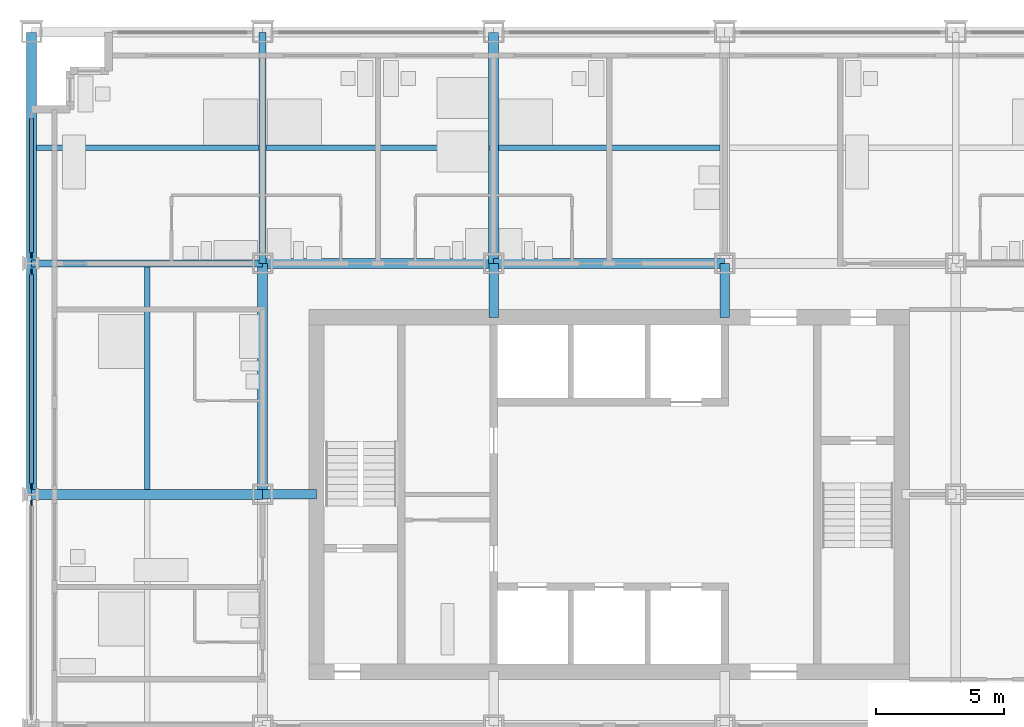
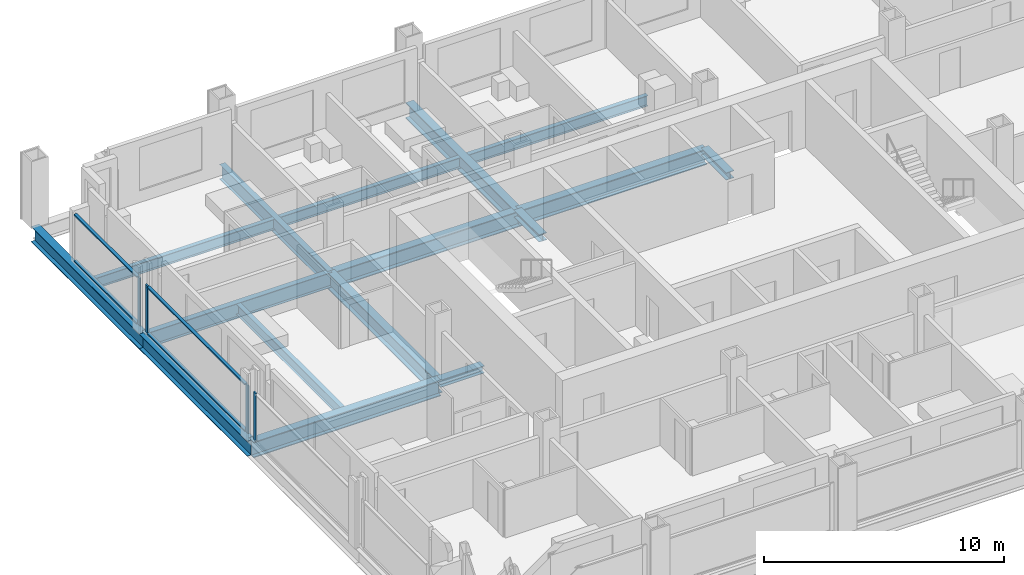
# One storey, part 4 of 18: 13 beams, 11 members, 3 elements without a shape of their own.
"""IFC4 building model written with IfcOpenShell, lengths in metres."""

from ifc_helpers import new_model, si_unit, direction, frame, origin, origin_2d, place, context, subcontext, project, spatial, rectangle, i_section, extrude, material, material_profile, profile_set, type_object, element, aggregate, save


model = new_model("IFC4")

# Units and contexts
model_context = context("Model", 3, precision=1e-05, world=origin(), true_north=direction((0.0, 1.0)))
body_context = subcontext(model_context, "Body", "Model", "MODEL_VIEW")
ifc_project = project(units=[si_unit("LENGTHUNIT", "METRE"), si_unit("AREAUNIT", "SQUARE_METRE"), si_unit("VOLUMEUNIT", "CUBIC_METRE"), si_unit("PLANEANGLEUNIT", "RADIAN"), si_unit("MASSUNIT", "GRAM", prefix="KILO")], contexts=[model_context])

# Site, building, storey
site_placement = place(None, origin())
site = spatial("IfcSite", under=ifc_project, at=site_placement, CompositionType="ELEMENT")
building_placement = place(site_placement, origin())
building = spatial("IfcBuilding", under=site, at=building_placement, Name="Loomwork Tower", CompositionType="ELEMENT")
storey_placement = place(building_placement, frame((0.0, 0.0, 65.39990234375)))
storey = spatial("IfcBuildingStorey", under=building, at=storey_placement, Name="L16", CompositionType="ELEMENT", Elevation=65.39990234375)

# Beams
ifc_material_1 = material(Name="Steel ASTM A992", Category="steel")
ifc_material_profile_1 = material_profile(ifc_material_1, i_section(OverallWidth=0.383544921875, OverallDepth=0.794921875, WebThickness=0.02099609375, FlangeThickness=0.0380859375, at=origin_2d()), Name="W30x235")
ifc_profile_set_1 = profile_set([ifc_material_profile_1], Name="Steel ASTM A992")
beam_type_1 = type_object("IfcBeamType", Name="CORE FLANK GIRDER W30x235", PredefinedType="BEAM", material=ifc_profile_set_1)
for number, where, z_axis, x_axis, name in (
    (1, (0.0, 18.0, -0.597412109375), (1.0, 0.0, 0.0), (0.0, 1.0, 0.0), "Core Flank Girder F/2-F/3 L16"),
    (2, (9.0, 27.0, -0.597412109375), (1.0, 0.0, 0.0), (0.0, 1.0, 0.0), "Core Flank Girder G/3-G/4 L16"),
    (3, (18.0, 27.0, -0.597412109375), (1.0, 0.0, 0.0), (0.0, 1.0, 0.0), "Core Flank Girder G/4-G/5 L16"),
    (4, (9.0, 18.0, -0.597412109375), (0.0, 1.0, 0.0), (-1.0, 0.0, 0.0), "Core Flank Girder F/3-G/3 L16"),
    (5, (18.0, 27.0, -0.597412109375), (0.0, 1.0, 0.0), (-1.0, 0.0, 0.0), "Core Flank Girder G/4-H/4 L16"),
):
    element("IfcBeam", number, at=place(storey_placement, frame(where, z_axis=z_axis, x_axis=x_axis)), inside=storey, type_object=beam_type_1, Name=name, PredefinedType="BEAM", context=body_context, shape_type="SweptSolid", body=[
        extrude(i_section(OverallWidth=0.383544921875, OverallDepth=0.794921875, WebThickness=0.02099609375, FlangeThickness=0.0380859375, at=origin_2d()), origin(), (0.0, 0.0, 1.0), 9.0),
    ])

# Members
ifc_material_2 = material(Name="Steel ASTM A992", Category="steel")
ifc_material_profile_2 = material_profile(ifc_material_2, i_section(OverallWidth=0.373291015625, OverallDepth=0.373291015625, WebThickness=0.016357421875, FlangeThickness=0.026123046875, at=origin_2d()), Name="W14x132")
ifc_profile_set_2 = profile_set([ifc_material_profile_2], Name="Steel ASTM A992")
member_type_1 = type_object("IfcMemberType", Name="CORE LINK STRUT W14x132", PredefinedType="STRUT", material=ifc_profile_set_2)
for number, where, z_axis, x_axis, name in (
    (6, (27.0, 27.0, -0.386474609375), (0.0, -1.0, 0.0), (1.0, 0.0, 0.0), "Core link strut G/5-27.000,24.900 L16"),
    (7, (18.0, 27.0, -0.386474609375), (0.0, -1.0, 0.0), (1.0, 0.0, 0.0), "Core link strut G/4-18.000,24.900 L16"),
    (8, (9.0, 18.0, -0.386474609375), (1.0, 0.0, 0.0), (0.0, 1.0, 0.0), "Core link strut F/3-11.100,18.000 L16"),
):
    element("IfcMember", number, at=place(storey_placement, frame(where, z_axis=z_axis, x_axis=x_axis)), inside=storey, type_object=member_type_1, Name=name, PredefinedType="STRUT", context=body_context, shape_type="SweptSolid", body=[
        extrude(i_section(OverallWidth=0.373291015625, OverallDepth=0.373291015625, WebThickness=0.016357421875, FlangeThickness=0.026123046875, at=origin_2d()), origin(), (0.0, 0.0, 1.0), 2.10009765625),
    ])

# Beams
ifc_material_3 = material(Name="Steel ASTM A992", Category="steel")
ifc_material_profile_3 = material_profile(ifc_material_3, i_section(OverallWidth=0.2666015625, OverallDepth=0.761962890625, WebThickness=0.014404296875, FlangeThickness=0.021484375, at=origin_2d()), Name="W30x116")
ifc_profile_set_3 = profile_set([ifc_material_profile_3], Name="Steel ASTM A992")
beam_type_2 = type_object("IfcBeamType", Name="FLOOR GIRDER W30x116", PredefinedType="BEAM", material=ifc_profile_set_3)
for number, where, z_axis, x_axis, name in (
    (9, (0.0, 27.0, -0.580810546875), (1.0, 0.0, 0.0), (0.0, 1.0, 0.0), "Floor Girder G/2-G/3 L16"),
    (10, (9.0, 27.0, -0.580810546875), (0.0, 1.0, 0.0), (-1.0, 0.0, 0.0), "Floor Girder G/3-H/3 L16"),
):
    element("IfcBeam", number, at=place(storey_placement, frame(where, z_axis=z_axis, x_axis=x_axis)), inside=storey, type_object=beam_type_2, Name=name, PredefinedType="BEAM", context=body_context, shape_type="SweptSolid", body=[
        extrude(i_section(OverallWidth=0.2666015625, OverallDepth=0.761962890625, WebThickness=0.014404296875, FlangeThickness=0.021484375, at=origin_2d()), origin(), (0.0, 0.0, 1.0), 9.0),
    ])
ifc_material_4 = material(Name="Steel ASTM A992", Category="steel")
ifc_material_profile_4 = material_profile(ifc_material_4, i_section(OverallWidth=0.2109375, OverallDepth=0.53857421875, WebThickness=0.011474609375, FlangeThickness=0.018798828125, at=origin_2d()), Name="W21x73")
ifc_profile_set_4 = profile_set([ifc_material_profile_4], Name="Steel ASTM A992")
beam_type_3 = type_object("IfcBeamType", Name="FLOOR JOIST W21x73", PredefinedType="JOIST", material=ifc_profile_set_4)
beam_1_placement = place(storey_placement, frame((4.5, 18.19091796875, -0.46923828125), z_axis=(0.0, 1.0, 0.0), x_axis=(-1.0, 0.0, 0.0)))
element("IfcBeam", 11, at=beam_1_placement, inside=storey, type_object=beam_type_3, Name="Floor Joist 4.500,18.000-4.500,27.000 L16", PredefinedType="JOIST", context=body_context, shape_type="SweptSolid", body=[
    extrude(i_section(OverallWidth=0.2109375, OverallDepth=0.53857421875, WebThickness=0.011474609375, FlangeThickness=0.018798828125, at=origin_2d()), origin(), (0.0, 0.0, 1.0), 8.676025390625),
])
beam_2_placement = place(storey_placement, frame((0.18994140625, 31.5, -0.46923828125), z_axis=(1.0, 0.0, 0.0), x_axis=(0.0, 1.0, 0.0)))
element("IfcBeam", 12, at=beam_2_placement, inside=storey, type_object=beam_type_3, Name="Floor Joist 0.000,31.500-9.000,31.500 L16", PredefinedType="JOIST", context=body_context, shape_type="SweptSolid", body=[
    extrude(i_section(OverallWidth=0.2109375, OverallDepth=0.53857421875, WebThickness=0.011474609375, FlangeThickness=0.018798828125, at=origin_2d()), origin(), (0.0, 0.0, 1.0), 8.677001953125),
])
beam_3_placement = place(storey_placement, frame((9.133056640625, 31.5, -0.46923828125), z_axis=(1.0, 0.0, 0.0), x_axis=(0.0, 1.0, 0.0)))
element("IfcBeam", 13, at=beam_3_placement, inside=storey, type_object=beam_type_3, Name="Floor Joist 9.000,31.500-18.000,31.500 L16", PredefinedType="JOIST", context=body_context, shape_type="SweptSolid", body=[
    extrude(i_section(OverallWidth=0.2109375, OverallDepth=0.53857421875, WebThickness=0.011474609375, FlangeThickness=0.018798828125, at=origin_2d()), origin(), (0.0, 0.0, 1.0), 8.676025390625),
])
beam_4_placement = place(storey_placement, frame((18.19091796875, 31.5, -0.46923828125), z_axis=(1.0, 0.0, 0.0), x_axis=(0.0, 1.0, 0.0)))
element("IfcBeam", 14, at=beam_4_placement, inside=storey, type_object=beam_type_3, Name="Floor Joist 18.000,31.500-27.000,31.500 L16", PredefinedType="JOIST", context=body_context, shape_type="SweptSolid", body=[
    extrude(i_section(OverallWidth=0.2109375, OverallDepth=0.53857421875, WebThickness=0.011474609375, FlangeThickness=0.018798828125, at=origin_2d()), origin(), (0.0, 0.0, 1.0), 8.6181640625),
])

# Curtain wall, member
ifc_material_5 = material(Name="Aluminium curtain wall frame", Category="aluminium")
curtain_wall_type = type_object("IfcCurtainWallType", Name="Outer skin glazing hotel", PredefinedType="NOTDEFINED", material=ifc_material_5)
curtain_wall_1_placement = place(storey_placement, origin())
curtain_wall_1 = element("IfcCurtainWall", 15, at=curtain_wall_1_placement, inside=storey, type_object=curtain_wall_type, Name="Outer skin glazing hotel cw/W-9", PredefinedType="NOTDEFINED")
ifc_material_6 = material(Name="Aluminium curtain wall frame", Category="aluminium")
ifc_material_profile_5 = material_profile(ifc_material_6, rectangle(XDim=0.06494140625, YDim=0.199951171875, at=origin_2d()), Name="AL 65x200")
ifc_profile_set_5 = profile_set([ifc_material_profile_5], Name="Aluminium curtain wall frame")
member_type_2 = type_object("IfcMemberType", Name="Outer skin glazing hotel mullion", PredefinedType="MULLION", material=ifc_profile_set_5)
member_1_placement = place(storey_placement, frame((0.0, 17.672607421875, 0.0), z_axis=(0.0, 0.0, 1.0), x_axis=(1.0, 0.0, 0.0)))
member_1 = element("IfcMember", 16, at=member_1_placement, type_object=member_type_2, Name="CW1 mullion 1", PredefinedType="MULLION", context=body_context, shape_type="SweptSolid", body=[
    extrude(rectangle(XDim=0.06494140625, YDim=0.199951171875, at=origin_2d()), origin(), (0.0, 0.0, 1.0), 2.42041015625),
])
aggregate(curtain_wall_1, [member_1])

# Curtain wall, members
curtain_wall_2_placement = place(storey_placement, origin())
curtain_wall_2 = element("IfcCurtainWall", 17, at=curtain_wall_2_placement, inside=storey, type_object=curtain_wall_type, Name="Outer skin glazing hotel cw/W-18", PredefinedType="NOTDEFINED")
member_2_placement = place(storey_placement, frame((0.0, 26.672607421875, 0.0), z_axis=(0.0, 0.0, 1.0), x_axis=(1.0, 0.0, 0.0)))
member_2 = element("IfcMember", 18, at=member_2_placement, type_object=member_type_2, Name="CW1 mullion 1", PredefinedType="MULLION", context=body_context, shape_type="SweptSolid", body=[
    extrude(rectangle(XDim=0.06494140625, YDim=0.199951171875, at=origin_2d()), origin(), (0.0, 0.0, 1.0), 2.42041015625),
])
member_3_placement = place(storey_placement, frame((0.0, 18.327392578125, 0.0), z_axis=(0.0, 0.0, 1.0), x_axis=(1.0, 0.0, 0.0)))
member_3 = element("IfcMember", 19, at=member_3_placement, type_object=member_type_2, Name="CW1 mullion 2", PredefinedType="MULLION", context=body_context, shape_type="SweptSolid", body=[
    extrude(rectangle(XDim=0.06494140625, YDim=0.199951171875, at=origin_2d()), origin(), (0.0, 0.0, 1.0), 2.42041015625),
])

# Curtain wall, member
curtain_wall_3_placement = place(storey_placement, origin())
curtain_wall_3 = element("IfcCurtainWall", 20, at=curtain_wall_3_placement, inside=storey, type_object=curtain_wall_type, Name="Outer skin glazing hotel cw/W-27", PredefinedType="NOTDEFINED")
member_4_placement = place(storey_placement, frame((0.0, 27.327392578125, 0.0), z_axis=(0.0, 0.0, 1.0), x_axis=(1.0, 0.0, 0.0)))
member_4 = element("IfcMember", 21, at=member_4_placement, type_object=member_type_2, Name="CW1 mullion 2", PredefinedType="MULLION", context=body_context, shape_type="SweptSolid", body=[
    extrude(rectangle(XDim=0.06494140625, YDim=0.199951171875, at=origin_2d()), origin(), (0.0, 0.0, 1.0), 2.42041015625),
])

# Member
ifc_material_7 = material(Name="Aluminium curtain wall frame", Category="aluminium")
ifc_material_profile_6 = material_profile(ifc_material_7, rectangle(XDim=0.14990234375, YDim=0.06494140625, at=origin_2d()), Name="AL 65x150")
ifc_profile_set_6 = profile_set([ifc_material_profile_6], Name="Aluminium curtain wall frame")
member_type_3 = type_object("IfcMemberType", Name="Outer skin glazing hotel transom", PredefinedType="USERDEFINED", material=ifc_profile_set_6)
member_5_placement = place(storey_placement, frame((0.0, 26.57275390625, 0.03271484375), z_axis=(0.0, -1.0, 0.0), x_axis=(1.0, 0.0, 0.0)))
member_5 = element("IfcMember", 22, at=member_5_placement, type_object=member_type_3, Name="CW1 transom 1.1", ObjectType="TRANSOM", PredefinedType="USERDEFINED", context=body_context, shape_type="SweptSolid", body=[
    extrude(rectangle(XDim=0.14990234375, YDim=0.06494140625, at=origin_2d()), origin(), (0.0, 0.0, 1.0), 8.1455078125),
])

member_6_placement = place(storey_placement, frame((0.0, 26.57275390625, 2.3876953125), z_axis=(0.0, -1.0, 0.0), x_axis=(1.0, 0.0, 0.0)))
member_6 = element("IfcMember", 23, at=member_6_placement, type_object=member_type_3, Name="CW1 transom 1.2", ObjectType="TRANSOM", PredefinedType="USERDEFINED", context=body_context, shape_type="SweptSolid", body=[
    extrude(rectangle(XDim=0.14990234375, YDim=0.06494140625, at=origin_2d()), origin(), (0.0, 0.0, 1.0), 8.1455078125),
])

aggregate(curtain_wall_2, [member_2, member_3, member_5, member_6])

member_7_placement = place(storey_placement, frame((0.0, 32.64990234375, 0.03271484375), z_axis=(0.0, -1.0, 0.0), x_axis=(1.0, 0.0, 0.0)))
member_7 = element("IfcMember", 24, at=member_7_placement, type_object=member_type_3, Name="CW1 transom 1.1", ObjectType="TRANSOM", PredefinedType="USERDEFINED", context=body_context, shape_type="SweptSolid", body=[
    extrude(rectangle(XDim=0.14990234375, YDim=0.06494140625, at=origin_2d()), origin(), (0.0, 0.0, 1.0), 5.22265625),
])

member_8_placement = place(storey_placement, frame((0.0, 32.64990234375, 2.3876953125), z_axis=(0.0, -1.0, 0.0), x_axis=(1.0, 0.0, 0.0)))
member_8 = element("IfcMember", 25, at=member_8_placement, type_object=member_type_3, Name="CW1 transom 1.2", ObjectType="TRANSOM", PredefinedType="USERDEFINED", context=body_context, shape_type="SweptSolid", body=[
    extrude(rectangle(XDim=0.14990234375, YDim=0.06494140625, at=origin_2d()), origin(), (0.0, 0.0, 1.0), 5.22265625),
])

aggregate(curtain_wall_3, [member_4, member_7, member_8])

# Beams
ifc_material_8 = material(Name="Steel ASTM A992", Category="steel")
ifc_material_profile_7 = material_profile(ifc_material_8, i_section(OverallWidth=0.381103515625, OverallDepth=0.77978515625, WebThickness=0.01806640625, FlangeThickness=0.0302734375, at=origin_2d()), Name="W30x191")
ifc_profile_set_7 = profile_set([ifc_material_profile_7], Name="Steel ASTM A992")
beam_type_4 = type_object("IfcBeamType", Name="SPANDREL GIRDER W30x191", PredefinedType="SPANDREL", material=ifc_profile_set_7)
for number, where, z_axis, x_axis, name in (
    (26, (0.0, 18.0, -0.58984375), (0.0, 1.0, 0.0), (-1.0, 0.0, 0.0), "Spandrel Girder F/2-G/2 L16"),
    (27, (0.0, 27.0, -0.58984375), (0.0, 1.0, 0.0), (-1.0, 0.0, 0.0), "Spandrel Girder G/2-H/2 L16"),
):
    element("IfcBeam", number, at=place(storey_placement, frame(where, z_axis=z_axis, x_axis=x_axis)), inside=storey, type_object=beam_type_4, Name=name, PredefinedType="SPANDREL", context=body_context, shape_type="SweptSolid", body=[
        extrude(i_section(OverallWidth=0.381103515625, OverallDepth=0.77978515625, WebThickness=0.01806640625, FlangeThickness=0.0302734375, at=origin_2d()), origin(), (0.0, 0.0, 1.0), 9.0),
    ])

save(model, "model.ifc")
